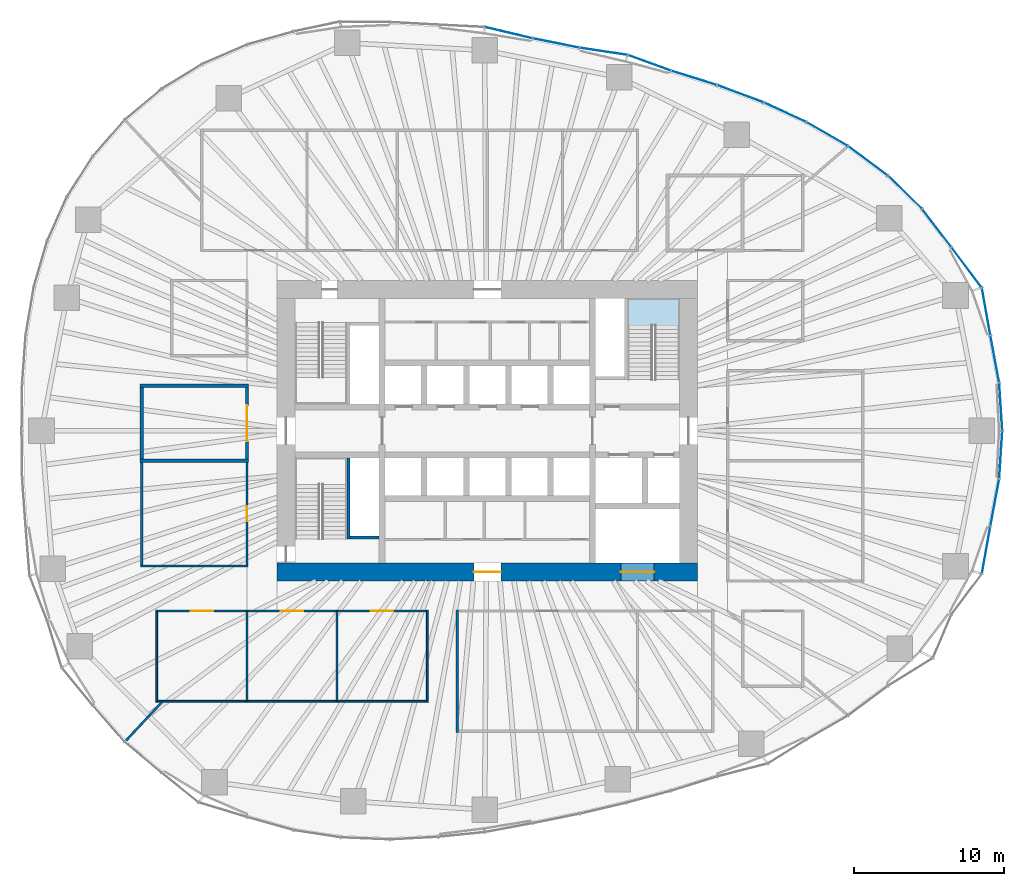
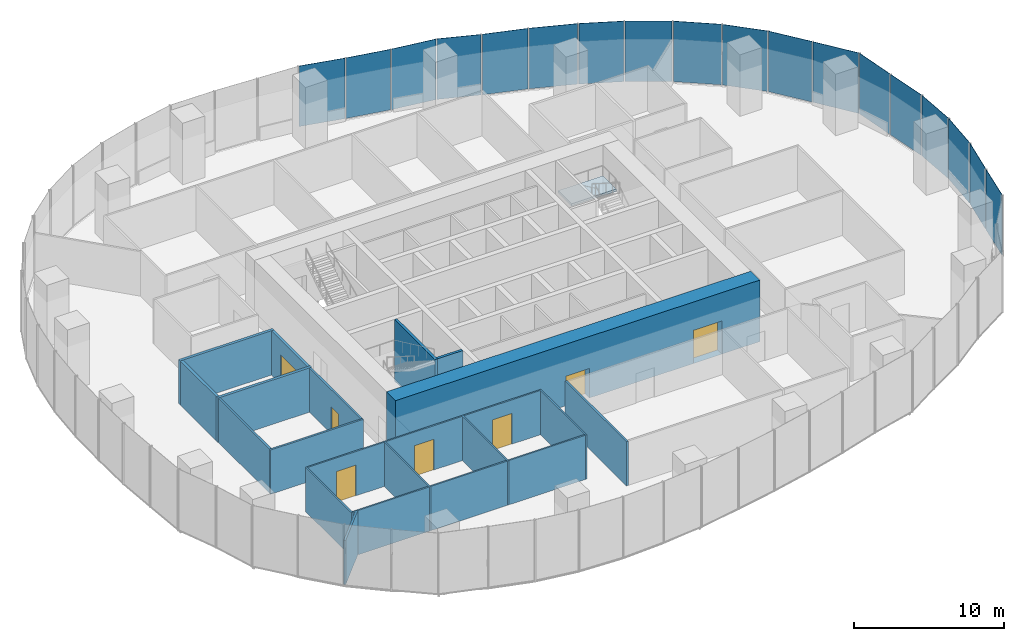
# One storey, part 9 of 20: 22 walls, 18 plates, 7 doors, 1 slab, 7 openings, 7 elements without a shape of their own.
"""IFC4 building model written with IfcOpenShell, lengths in metres."""

from ifc_helpers import new_model, si_unit, direction, frame, frame_2d, origin, origin_2d, place, context, subcontext, project, spatial, polyline, rectangle, outline, extrude, material, layer, layer_set, type_object, element, fill, aggregate, save


model = new_model("IFC4")

# Units and contexts
model_context = context("Model", 3, precision=1e-05, world=origin(), true_north=direction((0.0, 1.0)))
body_context = subcontext(model_context, "Body", "Model", "MODEL_VIEW")
ifc_project = project(units=[si_unit("LENGTHUNIT", "METRE"), si_unit("AREAUNIT", "SQUARE_METRE"), si_unit("VOLUMEUNIT", "CUBIC_METRE"), si_unit("PLANEANGLEUNIT", "RADIAN"), si_unit("MASSUNIT", "GRAM", prefix="KILO")], contexts=[model_context])

# Site, building, storey
site_placement = place(None, origin())
site = spatial("IfcSite", under=ifc_project, at=site_placement, CompositionType="ELEMENT")
building_placement = place(site_placement, origin())
building = spatial("IfcBuilding", under=site, at=building_placement, Name="Ghaith Harvest Tower", CompositionType="ELEMENT")
storey_placement = place(building_placement, frame((0.0, 0.0, 90.0)))
storey = spatial("IfcBuildingStorey", under=building, at=storey_placement, Name="L18", CompositionType="ELEMENT", Elevation=90.0)

# Curtain wall, plates
ifc_material_1 = material(Name="Black anodised aluminium and fritted glass", Category="aluminium")
curtain_wall_type = type_object("IfcCurtainWallType", Name="CW-F CURTAIN WALL", PredefinedType="NOTDEFINED", material=ifc_material_1)
curtain_wall_1_placement = place(storey_placement, origin())
curtain_wall_1 = element("IfcCurtainWall", 1, at=curtain_wall_1_placement, inside=storey, type_object=curtain_wall_type, Name="Curtain wall CW-F bay 01 L18", PredefinedType="NOTDEFINED")
ifc_material_2 = material(Name="Glass, high-transmission fritted double glazed unit", Category="glass")
ifc_layer_1 = layer(ifc_material_2, 0.028076171875)
ifc_layer_set_1 = layer_set([ifc_layer_1], Name="CW-F VISION PANEL")
plate_type = type_object("IfcPlateType", Name="CW-F VISION PANEL", PredefinedType="CURTAIN_PANEL", material=ifc_layer_set_1)
plate_1_placement = place(storey_placement, frame((34.181396484375, 1.602783203125, 0.080078125), z_axis=(0.0, 0.0, 1.0), x_axis=(-0.064445645786, 0.997921218704, 0.0)))
plate_1 = element("IfcPlate", 2, at=plate_1_placement, type_object=plate_type, Name="CW-F panel 1 bay 01 L18", PredefinedType="CURTAIN_PANEL", context=body_context, shape_type="SweptSolid", body=[
    extrude(rectangle(XDim=3.132080078125, YDim=0.028076171875, at=origin_2d()), origin(), (0.0, 0.0, 1.0), 4.919921875),
])
plate_2_placement = place(storey_placement, frame((33.78369140625, 4.78076171875, 0.080078125), z_axis=(0.0, 0.0, 1.0), x_axis=(-0.183569249502, 0.983006780565, 0.0)))
plate_2 = element("IfcPlate", 3, at=plate_2_placement, type_object=plate_type, Name="CW-F panel 2 bay 01 L18", PredefinedType="CURTAIN_PANEL", context=body_context, shape_type="SweptSolid", body=[
    extrude(rectangle(XDim=3.12548828125, YDim=0.028076171875, at=origin_2d()), origin(), (0.0, 0.0, 1.0), 4.919921875),
])
plate_3_placement = place(storey_placement, frame((33.20654296875, 7.93603515625, 0.080078125), z_axis=(0.0, 0.0, 1.0), x_axis=(-0.176319663586, 0.984332960046, 0.0)))
plate_3 = element("IfcPlate", 4, at=plate_3_placement, type_object=plate_type, Name="CW-F panel 3 bay 01 L18", PredefinedType="CURTAIN_PANEL", context=body_context, shape_type="SweptSolid", body=[
    extrude(rectangle(XDim=3.129638671875, YDim=0.028076171875, at=origin_2d()), origin(), (0.0, 0.0, 1.0), 4.919921875),
])
aggregate(curtain_wall_1, [plate_1, plate_2, plate_3])

curtain_wall_2_placement = place(storey_placement, origin())
curtain_wall_2 = element("IfcCurtainWall", 5, at=curtain_wall_2_placement, inside=storey, type_object=curtain_wall_type, Name="Curtain wall CW-F bay 02 L18", PredefinedType="NOTDEFINED")
plate_4_placement = place(storey_placement, frame((31.91015625, 10.865234375, 0.080078125), z_axis=(0.0, 0.0, 1.0), x_axis=(-0.600454091192, 0.799659230154, 0.0)))
plate_4 = element("IfcPlate", 6, at=plate_4_placement, type_object=plate_type, Name="CW-F panel 1 bay 02 L18", PredefinedType="CURTAIN_PANEL", context=body_context, shape_type="SweptSolid", body=[
    extrude(rectangle(XDim=3.295654296875, YDim=0.028076171875, at=origin_2d()), origin(), (0.0, 0.0, 1.0), 4.919921875),
])
plate_5_placement = place(storey_placement, frame((29.921875, 13.4892578125, 0.080078125), z_axis=(0.0, 0.0, 1.0), x_axis=(-0.607611877494, 0.794234100457, 0.0)))
plate_5 = element("IfcPlate", 7, at=plate_5_placement, type_object=plate_type, Name="CW-F panel 2 bay 02 L18", PredefinedType="CURTAIN_PANEL", context=body_context, shape_type="SweptSolid", body=[
    extrude(rectangle(XDim=3.128662109375, YDim=0.028076171875, at=origin_2d()), origin(), (0.0, 0.0, 1.0), 4.919921875),
])
plate_6_placement = place(storey_placement, frame((27.810546875, 15.869384765625, 0.080078125), z_axis=(0.0, 0.0, 1.0), x_axis=(-0.716691335472, 0.69739051446, 0.0)))
plate_6 = element("IfcPlate", 8, at=plate_6_placement, type_object=plate_type, Name="CW-F panel 3 bay 02 L18", PredefinedType="CURTAIN_PANEL", context=body_context, shape_type="SweptSolid", body=[
    extrude(rectangle(XDim=3.092041015625, YDim=0.028076171875, at=origin_2d()), origin(), (0.0, 0.0, 1.0), 4.919921875),
])
aggregate(curtain_wall_2, [plate_4, plate_5, plate_6])

curtain_wall_3_placement = place(storey_placement, origin())
curtain_wall_3 = element("IfcCurtainWall", 9, at=curtain_wall_3_placement, inside=storey, type_object=curtain_wall_type, Name="Curtain wall CW-F bay 03 L18", PredefinedType="NOTDEFINED")
plate_7_placement = place(storey_placement, frame((25.34619140625, 17.96142578125, 0.080078125), z_axis=(0.0, 0.0, 1.0), x_axis=(-0.802866788578, 0.596158468697, 0.0)))
plate_7 = element("IfcPlate", 10, at=plate_7_placement, type_object=plate_type, Name="CW-F panel 1 bay 03 L18", PredefinedType="CURTAIN_PANEL", context=body_context, shape_type="SweptSolid", body=[
    extrude(rectangle(XDim=3.2275390625, YDim=0.028076171875, at=origin_2d()), origin(), (0.0, 0.0, 1.0), 4.919921875),
])
plate_8_placement = place(storey_placement, frame((22.626953125, 19.750244140625, 0.080078125), z_axis=(0.0, 0.0, 1.0), x_axis=(-0.866159208358, 0.499768172033, 0.0)))
plate_8 = element("IfcPlate", 11, at=plate_8_placement, type_object=plate_type, Name="CW-F panel 2 bay 03 L18", PredefinedType="CURTAIN_PANEL", context=body_context, shape_type="SweptSolid", body=[
    extrude(rectangle(XDim=3.1328125, YDim=0.028076171875, at=origin_2d()), origin(), (0.0, 0.0, 1.0), 4.919921875),
])
plate_9_placement = place(storey_placement, frame((19.8291015625, 21.19970703125, 0.080078125), z_axis=(0.0, 0.0, 1.0), x_axis=(-0.908529586897, 0.417820523351, 0.0)))
plate_9 = element("IfcPlate", 12, at=plate_9_placement, type_object=plate_type, Name="CW-F panel 3 bay 03 L18", PredefinedType="CURTAIN_PANEL", context=body_context, shape_type="SweptSolid", body=[
    extrude(rectangle(XDim=3.01611328125, YDim=0.028076171875, at=origin_2d()), origin(), (0.0, 0.0, 1.0), 4.919921875),
])
aggregate(curtain_wall_3, [plate_7, plate_8, plate_9])

curtain_wall_4_placement = place(storey_placement, origin())
curtain_wall_4 = element("IfcCurtainWall", 13, at=curtain_wall_4_placement, inside=storey, type_object=curtain_wall_type, Name="Curtain wall CW-F bay 04 L18", PredefinedType="NOTDEFINED")
plate_10_placement = place(storey_placement, frame((16.85498046875, 22.431396484375, 0.080078125), z_axis=(0.0, 0.0, 1.0), x_axis=(-0.936926487964, 0.349526474178, 0.0)))
plate_10 = element("IfcPlate", 14, at=plate_10_placement, type_object=plate_type, Name="CW-F panel 1 bay 04 L18", PredefinedType="CURTAIN_PANEL", context=body_context, shape_type="SweptSolid", body=[
    extrude(rectangle(XDim=3.26611328125, YDim=0.028076171875, at=origin_2d()), origin(), (0.0, 0.0, 1.0), 4.919921875),
])
plate_11_placement = place(storey_placement, frame((13.760986328125, 23.490234375, 0.080078125), z_axis=(0.0, 0.0, 1.0), x_axis=(-0.954988265421, 0.296643578911, 0.0)))
plate_11 = element("IfcPlate", 15, at=plate_11_placement, type_object=plate_type, Name="CW-F panel 2 bay 04 L18", PredefinedType="CURTAIN_PANEL", context=body_context, shape_type="SweptSolid", body=[
    extrude(rectangle(XDim=3.1171875, YDim=0.028076171875, at=origin_2d()), origin(), (0.0, 0.0, 1.0), 4.919921875),
])
plate_12_placement = place(storey_placement, frame((10.793212890625, 24.490234375, 0.080078125), z_axis=(0.0, 0.0, 1.0), x_axis=(-0.939438435482, 0.342717705902, 0.0)))
plate_12 = element("IfcPlate", 16, at=plate_12_placement, type_object=plate_type, Name="CW-F panel 3 bay 04 L18", PredefinedType="CURTAIN_PANEL", context=body_context, shape_type="SweptSolid", body=[
    extrude(rectangle(XDim=2.98828125, YDim=0.028076171875, at=origin_2d()), origin(), (0.0, 0.0, 1.0), 4.919921875),
])
aggregate(curtain_wall_4, [plate_10, plate_11, plate_12])

curtain_wall_5_placement = place(storey_placement, origin())
curtain_wall_5 = element("IfcCurtainWall", 17, at=curtain_wall_5_placement, inside=storey, type_object=curtain_wall_type, Name="Curtain wall CW-F bay 05 L18", PredefinedType="NOTDEFINED")
plate_13_placement = place(storey_placement, frame((7.744384765625, 25.255615234375, 0.080078125), z_axis=(0.0, 0.0, 1.0), x_axis=(-0.989074249382, 0.147418211935, 0.0)))
plate_13 = element("IfcPlate", 18, at=plate_13_placement, type_object=plate_type, Name="CW-F panel 1 bay 05 L18", PredefinedType="CURTAIN_PANEL", context=body_context, shape_type="SweptSolid", body=[
    extrude(rectangle(XDim=3.17041015625, YDim=0.028076171875, at=origin_2d()), origin(), (0.0, 0.0, 1.0), 4.919921875),
])
plate_14_placement = place(storey_placement, frame((4.5732421875, 25.809326171875, 0.080078125), z_axis=(0.0, 0.0, 1.0), x_axis=(-0.980432348069, 0.196856320344, 0.0)))
plate_14 = element("IfcPlate", 19, at=plate_14_placement, type_object=plate_type, Name="CW-F panel 2 bay 05 L18", PredefinedType="CURTAIN_PANEL", context=body_context, shape_type="SweptSolid", body=[
    extrude(rectangle(XDim=3.1103515625, YDim=0.028076171875, at=origin_2d()), origin(), (0.0, 0.0, 1.0), 4.919921875),
])
plate_15_placement = place(storey_placement, frame((1.41259765625, 26.500244140625, 0.080078125), z_axis=(0.0, 0.0, 1.0), x_axis=(-0.97324595378, 0.229765779545, 0.0)))
plate_15 = element("IfcPlate", 20, at=plate_15_placement, type_object=plate_type, Name="CW-F panel 3 bay 05 L18", PredefinedType="CURTAIN_PANEL", context=body_context, shape_type="SweptSolid", body=[
    extrude(rectangle(XDim=3.200927734375, YDim=0.028076171875, at=origin_2d()), origin(), (0.0, 0.0, 1.0), 4.919921875),
])
aggregate(curtain_wall_5, [plate_13, plate_14, plate_15])

curtain_wall_6_placement = place(storey_placement, origin())
curtain_wall_6 = element("IfcCurtainWall", 21, at=curtain_wall_6_placement, inside=storey, type_object=curtain_wall_type, Name="Curtain wall CW-F bay 20 L18", PredefinedType="NOTDEFINED")
plate_16_placement = place(storey_placement, frame((33.20654296875, -7.93603515625, 0.080078125), z_axis=(0.0, 0.0, 1.0), x_axis=(0.176319663878, 0.984332959994, 0.0)))
plate_16 = element("IfcPlate", 22, at=plate_16_placement, type_object=plate_type, Name="CW-F panel 1 bay 20 L18", PredefinedType="CURTAIN_PANEL", context=body_context, shape_type="SweptSolid", body=[
    extrude(rectangle(XDim=3.129638671875, YDim=0.028076171875, at=origin_2d()), origin(), (0.0, 0.0, 1.0), 4.919921875),
])
plate_17_placement = place(storey_placement, frame((33.78369140625, -4.78076171875, 0.080078125), z_axis=(0.0, 0.0, 1.0), x_axis=(0.183569249777, 0.983006780514, 0.0)))
plate_17 = element("IfcPlate", 23, at=plate_17_placement, type_object=plate_type, Name="CW-F panel 2 bay 20 L18", PredefinedType="CURTAIN_PANEL", context=body_context, shape_type="SweptSolid", body=[
    extrude(rectangle(XDim=3.12548828125, YDim=0.028076171875, at=origin_2d()), origin(), (0.0, 0.0, 1.0), 4.919921875),
])
plate_18_placement = place(storey_placement, frame((34.181396484375, -1.602783203125, 0.080078125), z_axis=(0.0, 0.0, 1.0), x_axis=(0.064445645891, 0.997921218697, 0.0)))
plate_18 = element("IfcPlate", 24, at=plate_18_placement, type_object=plate_type, Name="CW-F panel 3 bay 20 L18", PredefinedType="CURTAIN_PANEL", context=body_context, shape_type="SweptSolid", body=[
    extrude(rectangle(XDim=3.132080078125, YDim=0.028076171875, at=origin_2d()), origin(), (0.0, 0.0, 1.0), 4.919921875),
])
aggregate(curtain_wall_6, [plate_16, plate_17, plate_18])

# Stair, slab
ifc_material_3 = material(Name="Concrete C40/50, precast", Category="concrete")
stair_type = type_object("IfcStairType", Name="CORE STAIR 28R", PredefinedType="HALF_TURN_STAIR", material=ifc_material_3)
stair_placement = place(storey_placement, origin())
stair = element("IfcStair", 25, at=stair_placement, inside=storey, type_object=stair_type, Name="Stair ST2 L18", PredefinedType="HALF_TURN_STAIR")
ifc_material_4 = material(Name="Concrete C40/50, precast", Category="concrete")
ifc_layer_2 = layer(ifc_material_4, 0.179931640625)
ifc_layer_set_2 = layer_set([ifc_layer_2], Name="STAIR LANDING 180")
slab_type = type_object("IfcSlabType", Name="STAIR LANDING 180", PredefinedType="LANDING", material=ifc_layer_set_2)
slab_placement = place(storey_placement, frame((0.0, 0.0, 2.320068359375)))
slab = element("IfcSlab", 26, at=slab_placement, type_object=slab_type, Name="ST2 landing 1", PredefinedType="LANDING", context=body_context, shape_type="SweptSolid", body=[
    extrude(outline(polyline([(12.800048828125, 7.02001953125), (12.800048828125, 8.800048828125), (9.35009765625, 8.800048828125), (9.35009765625, 7.02001953125), (12.800048828125, 7.02001953125)])), origin(), (0.0, 0.0, 1.0), 0.179931640625),
])
aggregate(stair, [slab])

# Walls
ifc_material_5 = material(Name="Concrete blockwork, 1-hour", Category="masonry")
ifc_layer_3 = layer(ifc_material_5, 0.215087890625)
ifc_layer_set_3 = layer_set([ifc_layer_3], Name="BLOCKWORK WALL 215")
wall_type_1 = type_object("IfcWallType", Name="BLOCKWORK WALL 215", PredefinedType="PARTITIONING", material=ifc_layer_set_3)
for number, where, z_axis, x_axis, name in (
    (27, (-15.892578125, -2.0, 0.0), (0.0, 0.0, 1.0), (-1.0, 0.0, 0.0), "Partition L18 row W5 cross wall 2"),
    (28, (-15.892578125, 3.0, 0.0), (0.0, 0.0, 1.0), (-1.0, 0.0, 0.0), "Partition L18 row W5 cross wall 3"),
):
    element("IfcWall", number, at=place(storey_placement, frame(where, z_axis=z_axis, x_axis=x_axis)), inside=storey, type_object=wall_type_1, Name=name, PredefinedType="PARTITIONING", context=body_context, shape_type="SweptSolid", body=[
        extrude(rectangle(XDim=7.21484375, YDim=0.215087890625, at=frame_2d((3.607421875, 0.0))), origin(), (0.0, 0.0, 1.0), 3.60009765625),
    ])

# Wall, opening, door
wall_1_placement = place(storey_placement, frame((-16.0, -1.892578125, 0.0), z_axis=(0.0, 0.0, 1.0), x_axis=(0.0, 1.0, 0.0)))
wall_1 = element("IfcWall", 29, at=wall_1_placement, inside=storey, type_object=wall_type_1, Name="Partition L18-14", PredefinedType="PARTITIONING", context=body_context, shape_type="SweptSolid", body=[
    extrude(rectangle(XDim=4.78515625, YDim=0.215087890625, at=frame_2d((2.392578125, 0.0))), origin(), (0.0, 0.0, 1.0), 3.60009765625),
])
opening_1_placement = place(wall_1_placement, frame((1.1923828125, 0.0, 0.0)))
opening_1 = element("IfcOpeningElement", 30, at=opening_1_placement, cuts=wall_1, Name="Opening 18-039", PredefinedType="OPENING", context=body_context, shape_type="SweptSolid", body=[
    extrude(rectangle(XDim=2.39990234375, YDim=2.39990234375, at=frame_2d((1.199951171875, 1.199951171875))), frame((0.0, 0.11767578125, 0.0), z_axis=(0.0, -1.0, 0.0), x_axis=(1.0, 0.0, 0.0)), (0.0, 0.0, 1.0), 0.235107421875),
])
ifc_material_6 = material(Name="Timber door", Category="wood")
door_type_1 = type_object("IfcDoorType", Name="D10 PLANT PAIR 2400x2400", OperationType="DOUBLE_DOOR_SINGLE_SWING", PredefinedType="DOOR", material=ifc_material_6)
door_1_placement = place(opening_1_placement, origin())
door_1 = element("IfcDoor", 31, at=door_1_placement, inside=storey, type_object=door_type_1, Name="Nutrient tank room door", OperationType="DOUBLE_DOOR_SINGLE_SWING", OverallHeight=2.39990234375, OverallWidth=2.39990234375, PredefinedType="DOOR", context=body_context, shape_type="SweptSolid", body=[
    extrude(rectangle(XDim=2.39990234375, YDim=2.39990234375, at=frame_2d((1.199951171875, 1.199951171875))), frame((0.0, 0.02490234375, 0.0), z_axis=(0.0, -1.0, 0.0), x_axis=(1.0, 0.0, 0.0)), (0.0, 0.0, 1.0), 0.050048828125),
])
fill(opening_1, door_1)

# Wall
wall_2_placement = place(storey_placement, frame((-23.0, -1.892578125, 0.0), z_axis=(0.0, 0.0, 1.0), x_axis=(0.0, 1.0, 0.0)))
element("IfcWall", 32, at=wall_2_placement, inside=storey, type_object=wall_type_1, Name="Partition L18-14", PredefinedType="PARTITIONING", context=body_context, shape_type="SweptSolid", body=[
    extrude(rectangle(XDim=4.78515625, YDim=0.215087890625, at=frame_2d((2.392578125, 0.0))), origin(), (0.0, 0.0, 1.0), 3.60009765625),
])

# Wall, openings, doors
ifc_material_7 = material(Name="Concrete C70/85", Category="concrete")
ifc_layer_4 = layer(ifc_material_7, 1.199951171875)
ifc_layer_set_4 = layer_set([ifc_layer_4], Name="CORE WALL CW1200")
wall_type_2 = type_object("IfcWallType", Name="CORE WALL CW1200", PredefinedType="SHEAR", material=ifc_layer_set_4)
wall_3_placement = place(storey_placement, frame((-14.0, -9.39990234375, 0.0), z_axis=(0.0, 0.0, 1.0), x_axis=(1.0, 0.0, 0.0)))
wall_3 = element("IfcWall", 33, at=wall_3_placement, inside=storey, type_object=wall_type_2, Name="Core wall S L18", PredefinedType="SHEAR", context=body_context, shape_type="SweptSolid", body=[
    extrude(rectangle(XDim=28.0, YDim=1.199951171875, at=frame_2d((14.0, 0.0))), origin(), (0.0, 0.0, 1.0), 5.0),
])
opening_2_placement = place(wall_3_placement, frame((13.10009765625, 0.0, 0.0)))
opening_2 = element("IfcOpeningElement", 34, at=opening_2_placement, cuts=wall_3, Name="Opening 18-018", PredefinedType="OPENING", context=body_context, shape_type="SweptSolid", body=[
    extrude(rectangle(XDim=1.800048828125, YDim=2.39990234375, at=frame_2d((0.89990234375, 1.199951171875))), frame((0.0, 0.60986328125, 0.0), z_axis=(0.0, -1.0, 0.0), x_axis=(1.0, 0.0, 0.0)), (0.0, 0.0, 1.0), 1.219970703125),
])
opening_3_placement = place(wall_3_placement, frame((22.89990234375, 0.0, 0.0)))
opening_3 = element("IfcOpeningElement", 35, at=opening_3_placement, cuts=wall_3, Name="Opening 18-025", PredefinedType="OPENING", context=body_context, shape_type="SweptSolid", body=[
    extrude(rectangle(XDim=2.199951171875, YDim=2.699951171875, at=frame_2d((1.10009765625, 1.35009765625))), frame((0.0, 0.60986328125, 0.0), z_axis=(0.0, -1.0, 0.0), x_axis=(1.0, 0.0, 0.0)), (0.0, 0.0, 1.0), 1.219970703125),
])
ifc_material_8 = material(Name="Steel fire door", Category="steel")
door_type_2 = type_object("IfcDoorType", Name="D4 FD90 PAIR 1800x2400", OperationType="DOUBLE_DOOR_SINGLE_SWING", PredefinedType="DOOR", material=ifc_material_8)
door_2_placement = place(opening_2_placement, origin())
door_2 = element("IfcDoor", 36, at=door_2_placement, inside=storey, type_object=door_type_2, Name="Core service corridor doors", OperationType="DOUBLE_DOOR_SINGLE_SWING", OverallHeight=2.39990234375, OverallWidth=1.800048828125, PredefinedType="DOOR", context=body_context, shape_type="SweptSolid", body=[
    extrude(rectangle(XDim=1.800048828125, YDim=2.39990234375, at=frame_2d((0.89990234375, 1.199951171875))), frame((0.0, 0.02490234375, 0.0), z_axis=(0.0, -1.0, 0.0), x_axis=(1.0, 0.0, 0.0)), (0.0, 0.0, 1.0), 0.050048828125),
])
fill(opening_2, door_2)
ifc_material_9 = material(Name="Steel fire door", Category="steel")
door_type_3 = type_object("IfcDoorType", Name="LD3 LANDING 2200x2700", OperationType="DOUBLE_DOOR_SLIDING", PredefinedType="DOOR", material=ifc_material_9)
door_3_placement = place(opening_3_placement, origin())
door_3 = element("IfcDoor", 37, at=door_3_placement, inside=storey, type_object=door_type_3, Name="Landing door, goods lift GL1", OperationType="DOUBLE_DOOR_SLIDING", OverallHeight=2.699951171875, OverallWidth=2.199951171875, PredefinedType="DOOR", context=body_context, shape_type="SweptSolid", body=[
    extrude(rectangle(XDim=2.199951171875, YDim=2.699951171875, at=frame_2d((1.10009765625, 1.35009765625))), frame((0.0, 0.02490234375, 0.0), z_axis=(0.0, -1.0, 0.0), x_axis=(1.0, 0.0, 0.0)), (0.0, 0.0, 1.0), 0.050048828125),
])
fill(opening_3, door_3)

# Walls
ifc_material_10 = material(Name="Insulated food-grade panel", Category="steel")
ifc_layer_5 = layer(ifc_material_10, 0.1201171875)
ifc_layer_set_5 = layer_set([ifc_layer_5], Name="INSULATED PANEL WALL 120")
wall_type_3 = type_object("IfcWallType", Name="INSULATED PANEL WALL 120", PredefinedType="PARTITIONING", material=ifc_layer_set_5)
for number, where, z_axis, x_axis, name in (
    (38, (-22.0, -11.93994140625, 0.0), (0.0, 0.0, 1.0), (0.0, -1.0, 0.0), "Partition L18 row S2 cross wall 1"),
    (39, (-16.0, -11.93994140625, 0.0), (0.0, 0.0, 1.0), (0.0, -1.0, 0.0), "Partition L18 row S2 cross wall 2"),
    (40, (-10.0, -11.93994140625, 0.0), (0.0, 0.0, 1.0), (0.0, -1.0, 0.0), "Partition L18 row S2 cross wall 3"),
    (41, (-4.0, -11.93994140625, 0.0), (0.0, 0.0, 1.0), (0.0, -1.0, 0.0), "Partition L18 row S2 cross wall 4"),
):
    element("IfcWall", number, at=place(storey_placement, frame(where, z_axis=z_axis, x_axis=x_axis)), inside=storey, type_object=wall_type_3, Name=name, PredefinedType="PARTITIONING", context=body_context, shape_type="SweptSolid", body=[
        extrude(rectangle(XDim=6.1201171875, YDim=0.1201171875, at=frame_2d((3.06005859375, 0.0))), origin(), (0.0, 0.0, 1.0), 3.60009765625),
    ])

# Wall, opening, door
wall_4_placement = place(storey_placement, frame((-21.93994140625, -12.0, 0.0), z_axis=(0.0, 0.0, 1.0), x_axis=(1.0, 0.0, 0.0)))
wall_4 = element("IfcWall", 42, at=wall_4_placement, inside=storey, type_object=wall_type_3, Name="Partition L18-03", PredefinedType="PARTITIONING", context=body_context, shape_type="SweptSolid", body=[
    extrude(rectangle(XDim=5.8798828125, YDim=0.1201171875, at=frame_2d((2.93994140625, 0.0))), origin(), (0.0, 0.0, 1.0), 3.60009765625),
])
opening_4_placement = place(wall_4_placement, frame((2.18994140625, 0.0, 0.0)))
opening_4 = element("IfcOpeningElement", 43, at=opening_4_placement, cuts=wall_4, Name="Opening 18-028", PredefinedType="OPENING", context=body_context, shape_type="SweptSolid", body=[
    extrude(rectangle(XDim=1.5, YDim=2.5, at=frame_2d((0.75, 1.25))), frame((0.0, 0.070068359375, 0.0), z_axis=(0.0, -1.0, 0.0), x_axis=(1.0, 0.0, 0.0)), (0.0, 0.0, 1.0), 0.14013671875),
])
ifc_material_11 = material(Name="Insulated steel sliding door", Category="steel")
door_type_4 = type_object("IfcDoorType", Name="D13 COLD STORE SLIDING 1500x2500", OperationType="SLIDING_TO_LEFT", PredefinedType="DOOR", material=ifc_material_11)
door_4_placement = place(opening_4_placement, origin())
door_4 = element("IfcDoor", 44, at=door_4_placement, inside=storey, type_object=door_type_4, Name="Cold store door", OperationType="SLIDING_TO_LEFT", OverallHeight=2.5, OverallWidth=1.5, PredefinedType="DOOR", context=body_context, shape_type="SweptSolid", body=[
    extrude(rectangle(XDim=1.5, YDim=2.5, at=frame_2d((0.75, 1.25))), frame((0.0, 0.02490234375, 0.0), z_axis=(0.0, -1.0, 0.0), x_axis=(1.0, 0.0, 0.0)), (0.0, 0.0, 1.0), 0.050048828125),
])
fill(opening_4, door_4)

# Wall
wall_5_placement = place(storey_placement, frame((-21.93994140625, -18.0, 0.0), z_axis=(0.0, 0.0, 1.0), x_axis=(1.0, 0.0, 0.0)))
element("IfcWall", 45, at=wall_5_placement, inside=storey, type_object=wall_type_3, Name="Partition L18-03", PredefinedType="PARTITIONING", context=body_context, shape_type="SweptSolid", body=[
    extrude(rectangle(XDim=5.8798828125, YDim=0.1201171875, at=frame_2d((2.93994140625, 0.0))), origin(), (0.0, 0.0, 1.0), 3.60009765625),
])

# Wall, opening, door
wall_6_placement = place(storey_placement, frame((-15.93994140625, -12.0, 0.0), z_axis=(0.0, 0.0, 1.0), x_axis=(1.0, 0.0, 0.0)))
wall_6 = element("IfcWall", 46, at=wall_6_placement, inside=storey, type_object=wall_type_3, Name="Partition L18-04", PredefinedType="PARTITIONING", context=body_context, shape_type="SweptSolid", body=[
    extrude(rectangle(XDim=5.8798828125, YDim=0.1201171875, at=frame_2d((2.93994140625, 0.0))), origin(), (0.0, 0.0, 1.0), 3.60009765625),
])
opening_5_placement = place(wall_6_placement, frame((2.18994140625, 0.0, 0.0)))
opening_5 = element("IfcOpeningElement", 47, at=opening_5_placement, cuts=wall_6, Name="Opening 18-029", PredefinedType="OPENING", context=body_context, shape_type="SweptSolid", body=[
    extrude(rectangle(XDim=1.5, YDim=2.5, at=frame_2d((0.75, 1.25))), frame((0.0, 0.070068359375, 0.0), z_axis=(0.0, -1.0, 0.0), x_axis=(1.0, 0.0, 0.0)), (0.0, 0.0, 1.0), 0.14013671875),
])
door_5_placement = place(opening_5_placement, origin())
door_5 = element("IfcDoor", 48, at=door_5_placement, inside=storey, type_object=door_type_4, Name="Cold store door", OperationType="SLIDING_TO_LEFT", OverallHeight=2.5, OverallWidth=1.5, PredefinedType="DOOR", context=body_context, shape_type="SweptSolid", body=[
    extrude(rectangle(XDim=1.5, YDim=2.5, at=frame_2d((0.75, 1.25))), frame((0.0, 0.02490234375, 0.0), z_axis=(0.0, -1.0, 0.0), x_axis=(1.0, 0.0, 0.0)), (0.0, 0.0, 1.0), 0.050048828125),
])
fill(opening_5, door_5)

# Wall
wall_7_placement = place(storey_placement, frame((-15.93994140625, -18.0, 0.0), z_axis=(0.0, 0.0, 1.0), x_axis=(1.0, 0.0, 0.0)))
element("IfcWall", 49, at=wall_7_placement, inside=storey, type_object=wall_type_3, Name="Partition L18-04", PredefinedType="PARTITIONING", context=body_context, shape_type="SweptSolid", body=[
    extrude(rectangle(XDim=5.8798828125, YDim=0.1201171875, at=frame_2d((2.93994140625, 0.0))), origin(), (0.0, 0.0, 1.0), 3.60009765625),
])

# Wall, opening, door
wall_8_placement = place(storey_placement, frame((-9.93994140625, -12.0, 0.0), z_axis=(0.0, 0.0, 1.0), x_axis=(1.0, 0.0, 0.0)))
wall_8 = element("IfcWall", 50, at=wall_8_placement, inside=storey, type_object=wall_type_3, Name="Partition L18-05", PredefinedType="PARTITIONING", context=body_context, shape_type="SweptSolid", body=[
    extrude(rectangle(XDim=5.8798828125, YDim=0.1201171875, at=frame_2d((2.93994140625, 0.0))), origin(), (0.0, 0.0, 1.0), 3.60009765625),
])
opening_6_placement = place(wall_8_placement, frame((2.18994140625, 0.0, 0.0)))
opening_6 = element("IfcOpeningElement", 51, at=opening_6_placement, cuts=wall_8, Name="Opening 18-030", PredefinedType="OPENING", context=body_context, shape_type="SweptSolid", body=[
    extrude(rectangle(XDim=1.5, YDim=2.5, at=frame_2d((0.75, 1.25))), frame((0.0, 0.070068359375, 0.0), z_axis=(0.0, -1.0, 0.0), x_axis=(1.0, 0.0, 0.0)), (0.0, 0.0, 1.0), 0.14013671875),
])
door_6_placement = place(opening_6_placement, origin())
door_6 = element("IfcDoor", 52, at=door_6_placement, inside=storey, type_object=door_type_4, Name="Cold store door", OperationType="SLIDING_TO_LEFT", OverallHeight=2.5, OverallWidth=1.5, PredefinedType="DOOR", context=body_context, shape_type="SweptSolid", body=[
    extrude(rectangle(XDim=1.5, YDim=2.5, at=frame_2d((0.75, 1.25))), frame((0.0, 0.02490234375, 0.0), z_axis=(0.0, -1.0, 0.0), x_axis=(1.0, 0.0, 0.0)), (0.0, 0.0, 1.0), 0.050048828125),
])
fill(opening_6, door_6)

# Walls
wall_9_placement = place(storey_placement, frame((-9.93994140625, -18.0, 0.0), z_axis=(0.0, 0.0, 1.0), x_axis=(1.0, 0.0, 0.0)))
element("IfcWall", 53, at=wall_9_placement, inside=storey, type_object=wall_type_3, Name="Partition L18-05", PredefinedType="PARTITIONING", context=body_context, shape_type="SweptSolid", body=[
    extrude(rectangle(XDim=5.8798828125, YDim=0.1201171875, at=frame_2d((2.93994140625, 0.0))), origin(), (0.0, 0.0, 1.0), 3.60009765625),
])
ifc_material_12 = material(Name="Gypsum board on steel studs", Category="steel")
ifc_layer_6 = layer(ifc_material_12, 0.14990234375)
ifc_layer_set_6 = layer_set([ifc_layer_6], Name="PARTITION 150")
wall_type_4 = type_object("IfcWallType", Name="PARTITION 150", PredefinedType="PARTITIONING", material=ifc_layer_set_6)
wall_10_placement = place(storey_placement, frame((-2.0, -11.925048828125, 0.0), z_axis=(0.0, 0.0, 1.0), x_axis=(0.0, -1.0, 0.0)))
element("IfcWall", 54, at=wall_10_placement, inside=storey, type_object=wall_type_4, Name="Partition L18 row S1 cross wall 1", PredefinedType="PARTITIONING", context=body_context, shape_type="SweptSolid", body=[
    extrude(rectangle(XDim=8.14990234375, YDim=0.14990234375, at=frame_2d((4.074951171875, 0.0))), origin(), (0.0, 0.0, 1.0), 3.60009765625),
])
wall_11_placement = place(storey_placement, frame((-15.925048828125, -9.0, 0.0), z_axis=(0.0, 0.0, 1.0), x_axis=(-1.0, 0.0, 0.0)))
element("IfcWall", 55, at=wall_11_placement, inside=storey, type_object=wall_type_4, Name="Partition L18 row W5 cross wall 1", PredefinedType="PARTITIONING", context=body_context, shape_type="SweptSolid", body=[
    extrude(rectangle(XDim=7.14990234375, YDim=0.14990234375, at=frame_2d((3.574951171875, 0.0))), origin(), (0.0, 0.0, 1.0), 3.60009765625),
])

# Wall, opening, door
wall_12_placement = place(storey_placement, frame((-16.0, -8.925048828125, 0.0), z_axis=(0.0, 0.0, 1.0), x_axis=(0.0, 1.0, 0.0)))
wall_12 = element("IfcWall", 56, at=wall_12_placement, inside=storey, type_object=wall_type_4, Name="Partition L18-13", PredefinedType="PARTITIONING", context=body_context, shape_type="SweptSolid", body=[
    extrude(rectangle(XDim=6.817626953125, YDim=0.14990234375, at=frame_2d((3.40869140625, 0.0))), origin(), (0.0, 0.0, 1.0), 3.60009765625),
])
opening_7_placement = place(wall_12_placement, frame((2.90869140625, 0.0, 0.0)))
opening_7 = element("IfcOpeningElement", 57, at=opening_7_placement, cuts=wall_12, Name="Opening 18-038", PredefinedType="OPENING", context=body_context, shape_type="SweptSolid", body=[
    extrude(rectangle(XDim=1.0, YDim=2.199951171875, at=frame_2d((0.5, 1.10009765625))), frame((0.0, 0.0849609375, 0.0), z_axis=(0.0, -1.0, 0.0), x_axis=(1.0, 0.0, 0.0)), (0.0, 0.0, 1.0), 0.169921875),
])
ifc_material_13 = material(Name="Timber door", Category="wood")
door_type_5 = type_object("IfcDoorType", Name="D1 SINGLE 1000x2200", OperationType="SINGLE_SWING_LEFT", PredefinedType="DOOR", material=ifc_material_13)
door_7_placement = place(opening_7_placement, origin())
door_7 = element("IfcDoor", 58, at=door_7_placement, inside=storey, type_object=door_type_5, Name="Packaging store door", OperationType="SINGLE_SWING_LEFT", OverallHeight=2.199951171875, OverallWidth=1.0, PredefinedType="DOOR", context=body_context, shape_type="SweptSolid", body=[
    extrude(rectangle(XDim=1.0, YDim=2.199951171875, at=frame_2d((0.5, 1.10009765625))), frame((0.0, 0.02490234375, 0.0), z_axis=(0.0, -1.0, 0.0), x_axis=(1.0, 0.0, 0.0)), (0.0, 0.0, 1.0), 0.050048828125),
])
fill(opening_7, door_7)

# Walls
wall_13_placement = place(storey_placement, frame((-23.0, -8.925048828125, 0.0), z_axis=(0.0, 0.0, 1.0), x_axis=(0.0, 1.0, 0.0)))
element("IfcWall", 59, at=wall_13_placement, inside=storey, type_object=wall_type_4, Name="Partition L18-13", PredefinedType="PARTITIONING", context=body_context, shape_type="SweptSolid", body=[
    extrude(rectangle(XDim=6.817626953125, YDim=0.14990234375, at=frame_2d((3.40869140625, 0.0))), origin(), (0.0, 0.0, 1.0), 3.60009765625),
])
wall_14_placement = place(storey_placement, frame((-21.621826171875, -18.02001953125, 0.0), z_axis=(0.0, 0.0, 1.0), x_axis=(-0.682522451791, -0.730864626864, 0.0)))
element("IfcWall", 60, at=wall_14_placement, inside=storey, type_object=wall_type_4, Name="Partition L18 zone division", PredefinedType="PARTITIONING", context=body_context, shape_type="SweptSolid", body=[
    extrude(rectangle(XDim=3.53515625, YDim=0.14990234375, at=frame_2d((1.767578125, 0.0))), origin(), (0.0, 0.0, 1.0), 3.60009765625),
])
ifc_material_14 = material(Name="Concrete C40/50", Category="concrete")
ifc_layer_7 = layer(ifc_material_14, 0.199951171875)
ifc_layer_set_7 = layer_set([ifc_layer_7], Name="STAIR SPINE WALL RC200")
wall_type_5 = type_object("IfcWallType", Name="STAIR SPINE WALL RC200", PredefinedType="SOLIDWALL", material=ifc_layer_set_7)
wall_15_placement = place(storey_placement, frame((-9.25, -7.199951171875, 0.0), z_axis=(0.0, 0.0, 1.0), x_axis=(0.0, 1.0, 0.0)))
element("IfcWall", 61, at=wall_15_placement, inside=storey, type_object=wall_type_5, Name="Stair ST3 spine wall L18", PredefinedType="SOLIDWALL", context=body_context, shape_type="SweptSolid", body=[
    extrude(rectangle(XDim=5.39990234375, YDim=0.199951171875, at=frame_2d((2.699951171875, 0.0))), origin(), (0.0, 0.0, 1.0), 5.0),
])
wall_16_placement = place(storey_placement, frame((-9.14990234375, -7.10009765625, 0.0), z_axis=(0.0, 0.0, 1.0), x_axis=(1.0, 0.0, 0.0)))
element("IfcWall", 62, at=wall_16_placement, inside=storey, type_object=wall_type_5, Name="Stair ST3 spine wall return L18", PredefinedType="SOLIDWALL", context=body_context, shape_type="SweptSolid", body=[
    extrude(rectangle(XDim=1.949951171875, YDim=0.199951171875, at=frame_2d((0.97509765625, 0.0))), origin(), (0.0, 0.0, 1.0), 5.0),
])

save(model, "model.ifc")
